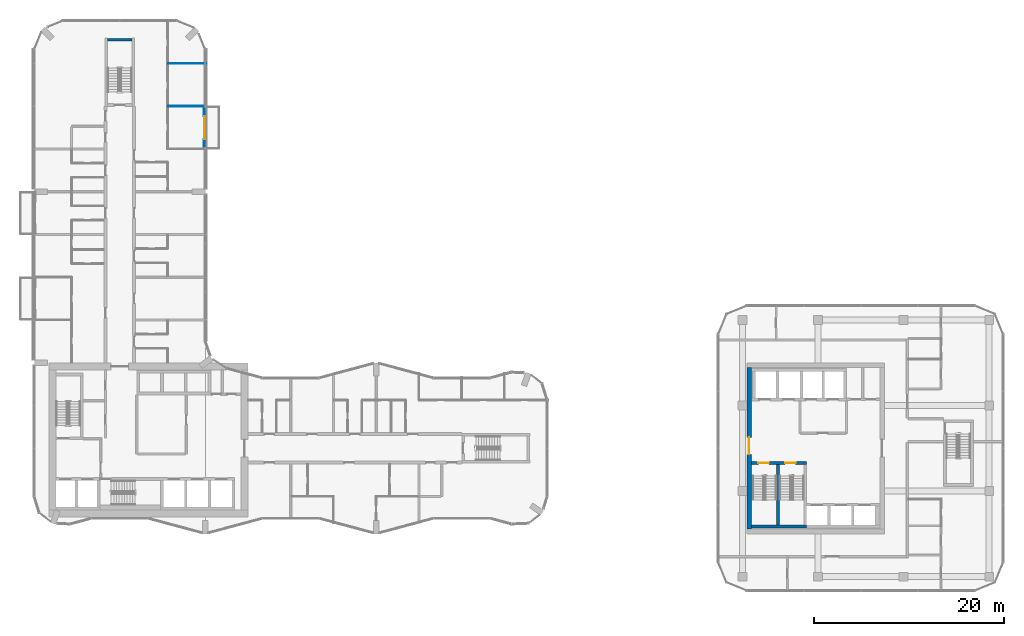
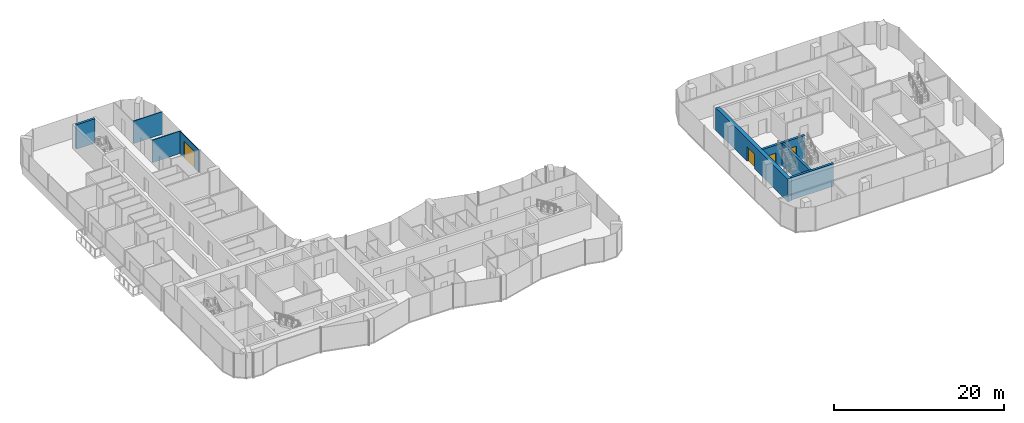
# One storey, part 18 of 24: 8 walls, 4 doors, 4 openings.
"""IFC4 building model written with IfcOpenShell, lengths in metres."""

from ifc_helpers import new_model, si_unit, direction, frame, frame_2d, origin, place, context, subcontext, project, spatial, rectangle, extrude, material, layer, layer_set, type_object, element, fill, save


model = new_model("IFC4")

# Units and contexts
model_context = context("Model", 3, precision=1e-05, world=origin(), true_north=direction((0.0, 1.0)))
body_context = subcontext(model_context, "Body", "Model", "MODEL_VIEW")
ifc_project = project(units=[si_unit("LENGTHUNIT", "METRE"), si_unit("AREAUNIT", "SQUARE_METRE"), si_unit("VOLUMEUNIT", "CUBIC_METRE"), si_unit("PLANEANGLEUNIT", "RADIAN"), si_unit("MASSUNIT", "GRAM", prefix="KILO")], contexts=[model_context])

# Site, building, storey
site_placement = place(None, origin())
site = spatial("IfcSite", under=ifc_project, at=site_placement, CompositionType="ELEMENT")
building_placement = place(site_placement, origin())
building = spatial("IfcBuilding", under=site, at=building_placement, Name="Plateau Cross Towers", CompositionType="ELEMENT")
storey_placement = place(building_placement, frame((0.0, 0.0, 51.300048828125)))
storey = spatial("IfcBuildingStorey", under=building, at=storey_placement, Name="L12", CompositionType="ELEMENT", Elevation=51.300048828125)

# Wall, opening, door
ifc_material_1 = material(Name="Aluminium framed glazing", Category="aluminium")
ifc_layer_1 = layer(ifc_material_1, 0.10009765625)
ifc_layer_set_1 = layer_set([ifc_layer_1], Name="Aluminium framed glazing")
wall_type_1 = type_object("IfcWallType", Name="Balcony screen wall 100", PredefinedType="STANDARD", material=ifc_layer_set_1)
wall_1_placement = place(storey_placement, frame((17.89990234375, 45.0, 0.0), z_axis=(0.0, 0.0, 1.0), x_axis=(0.0, -1.0, 0.0)))
wall_1 = element("IfcWall", 1, at=wall_1_placement, inside=storey, type_object=wall_type_1, Name="Balcony screen wall A-BAL-L12-03", PredefinedType="STANDARD", context=body_context, shape_type="SweptSolid", body=[
    extrude(rectangle(XDim=4.5, YDim=0.10009765625, at=frame_2d((2.25, 0.0))), origin(), (0.0, 0.0, 1.0), 3.25),
])
opening_1_placement = place(wall_1_placement, frame((1.050048828125, 0.0, 0.0)))
opening_1 = element("IfcOpeningElement", 2, at=opening_1_placement, cuts=wall_1, Name="Opening D-B24", PredefinedType="OPENING", context=body_context, shape_type="SweptSolid", body=[
    extrude(rectangle(XDim=2.39990234375, YDim=2.39990234375, at=frame_2d((1.199951171875, 1.199951171875))), frame((0.0, 0.06005859375, 0.0), z_axis=(0.0, -1.0, 0.0), x_axis=(1.0, 0.0, 0.0)), (0.0, 0.0, 1.0), 0.1201171875),
])
ifc_material_2 = material(Name="Aluminium frame, double glazing", Category="aluminium")
door_type_1 = type_object("IfcDoorType", Name="Balcony sliding door 2400", OperationType="NOTDEFINED", PredefinedType="DOOR", material=ifc_material_2)
door_1_placement = place(opening_1_placement, origin())
door_1 = element("IfcDoor", 3, at=door_1_placement, inside=storey, type_object=door_type_1, Name="Balcony door A-BAL-L12-03", OperationType="SINGLE_SWING_LEFT", OverallHeight=2.39990234375, OverallWidth=2.39990234375, PredefinedType="DOOR", context=body_context, shape_type="SweptSolid", body=[
    extrude(rectangle(XDim=2.39990234375, YDim=2.39990234375, at=frame_2d((1.199951171875, 1.199951171875))), frame((0.0, 0.02490234375, 0.0), z_axis=(0.0, -1.0, 0.0), x_axis=(1.0, 0.0, 0.0)), (0.0, 0.0, 1.0), 0.050048828125),
])
fill(opening_1, door_1)

# Wall
ifc_material_3 = material(Name="Concrete C60/75", Category="concrete")
ifc_layer_2 = layer(ifc_material_3, 0.300048828125)
ifc_layer_set_2 = layer_set([ifc_layer_2], Name="Concrete C60/75")
wall_type_2 = type_object("IfcWallType", Name="Core shaft wall 300", PredefinedType="SHEAR", material=ifc_layer_set_2)
wall_2_placement = place(storey_placement, frame((75.47998046875, 0.75, 0.0), z_axis=(0.0, 0.0, 1.0), x_axis=(1.0, 0.0, 0.0)))
element("IfcWall", 4, at=wall_2_placement, inside=storey, type_object=wall_type_2, Name="B-sb-stS@L12", PredefinedType="SHEAR", context=body_context, shape_type="SweptSolid", body=[
    extrude(rectangle(XDim=5.820068359375, YDim=0.300048828125, at=frame_2d((2.91015625, 0.0))), origin(), (0.0, 0.0, 1.0), 3.25),
])

# Wall, openings, doors
wall_3_placement = place(storey_placement, frame((75.47998046875, 7.449951171875, 0.0), z_axis=(0.0, 0.0, 1.0), x_axis=(1.0, 0.0, 0.0)))
wall_3 = element("IfcWall", 5, at=wall_3_placement, inside=storey, type_object=wall_type_2, Name="B-sb-stN@L12", PredefinedType="SHEAR", context=body_context, shape_type="SweptSolid", body=[
    extrude(rectangle(XDim=5.820068359375, YDim=0.300048828125, at=frame_2d((2.91015625, 0.0))), origin(), (0.0, 0.0, 1.0), 3.25),
])
opening_2_placement = place(wall_3_placement, frame((0.75, 0.0, 0.0)))
opening_2 = element("IfcOpeningElement", 6, at=opening_2_placement, cuts=wall_3, Name="Opening SD", PredefinedType="OPENING", context=body_context, shape_type="SweptSolid", body=[
    extrude(rectangle(XDim=1.10009765625, YDim=2.10009765625, at=frame_2d((0.550048828125, 1.050048828125))), frame((0.0, 0.159912109375, 0.0), z_axis=(0.0, -1.0, 0.0), x_axis=(1.0, 0.0, 0.0)), (0.0, 0.0, 1.0), 0.320068359375),
])
opening_3_placement = place(wall_3_placement, frame((3.550048828125, 0.0, 0.0)))
opening_3 = element("IfcOpeningElement", 7, at=opening_3_placement, cuts=wall_3, Name="Opening SD", PredefinedType="OPENING", context=body_context, shape_type="SweptSolid", body=[
    extrude(rectangle(XDim=1.10009765625, YDim=2.10009765625, at=frame_2d((0.550048828125, 1.050048828125))), frame((0.0, 0.159912109375, 0.0), z_axis=(0.0, -1.0, 0.0), x_axis=(1.0, 0.0, 0.0)), (0.0, 0.0, 1.0), 0.320068359375),
])
ifc_material_4 = material(Name="Steel, fire-resisting leaf", Category="steel")
door_type_2 = type_object("IfcDoorType", Name="Stair door 1100", OperationType="NOTDEFINED", PredefinedType="DOOR", material=ifc_material_4)
door_2_placement = place(opening_2_placement, origin())
door_2 = element("IfcDoor", 8, at=door_2_placement, inside=storey, type_object=door_type_2, Name="Stair door SD", OperationType="SINGLE_SWING_RIGHT", OverallHeight=2.10009765625, OverallWidth=1.10009765625, PredefinedType="DOOR", context=body_context, shape_type="SweptSolid", body=[
    extrude(rectangle(XDim=1.10009765625, YDim=2.10009765625, at=frame_2d((0.550048828125, 1.050048828125))), frame((0.0, 0.02490234375, 0.0), z_axis=(0.0, -1.0, 0.0), x_axis=(1.0, 0.0, 0.0)), (0.0, 0.0, 1.0), 0.050048828125),
])
fill(opening_2, door_2)
door_3_placement = place(opening_3_placement, origin())
door_3 = element("IfcDoor", 9, at=door_3_placement, inside=storey, type_object=door_type_2, Name="Stair door SD", OperationType="SINGLE_SWING_LEFT", OverallHeight=2.10009765625, OverallWidth=1.10009765625, PredefinedType="DOOR", context=body_context, shape_type="SweptSolid", body=[
    extrude(rectangle(XDim=1.10009765625, YDim=2.10009765625, at=frame_2d((0.550048828125, 1.050048828125))), frame((0.0, 0.02490234375, 0.0), z_axis=(0.0, -1.0, 0.0), x_axis=(1.0, 0.0, 0.0)), (0.0, 0.0, 1.0), 0.050048828125),
])
fill(opening_3, door_3)

# Wall
wall_4_placement = place(storey_placement, frame((78.300048828125, 0.89990234375, 0.0), z_axis=(0.0, 0.0, 1.0), x_axis=(0.0, 1.0, 0.0)))
element("IfcWall", 10, at=wall_4_placement, inside=storey, type_object=wall_type_2, Name="B-sb-st1@L12", PredefinedType="SHEAR", context=body_context, shape_type="SweptSolid", body=[
    extrude(rectangle(XDim=6.400146484375, YDim=0.300048828125, at=frame_2d((3.2001953125, 0.0))), origin(), (0.0, 0.0, 1.0), 3.25),
])

# Wall, opening, door
ifc_layer_3 = layer(ifc_material_3, 0.5)
ifc_layer_set_3 = layer_set([ifc_layer_3], Name="Concrete C60/75")
wall_type_3 = type_object("IfcWallType", Name="Core shell wall 500", PredefinedType="SHEAR", material=ifc_layer_set_3)
wall_5_placement = place(storey_placement, frame((75.25, 0.5, 0.0), z_axis=(0.0, 0.0, 1.0), x_axis=(0.0, 1.0, 0.0)))
wall_5 = element("IfcWall", 11, at=wall_5_placement, inside=storey, type_object=wall_type_3, Name="B-core-W@L12", PredefinedType="SHEAR", context=body_context, shape_type="SweptSolid", body=[
    extrude(rectangle(XDim=17.0, YDim=0.5, at=frame_2d((8.5, 0.0))), origin(), (0.0, 0.0, 1.0), 3.25),
])
opening_4_placement = place(wall_5_placement, frame((7.85009765625, 0.0, 0.0)))
opening_4 = element("IfcOpeningElement", 12, at=opening_4_placement, cuts=wall_5, Name="Opening CD", PredefinedType="OPENING", context=body_context, shape_type="SweptSolid", body=[
    extrude(rectangle(XDim=1.800048828125, YDim=2.10009765625, at=frame_2d((0.89990234375, 1.050048828125))), frame((0.0, 0.260009765625, 0.0), z_axis=(0.0, -1.0, 0.0), x_axis=(1.0, 0.0, 0.0)), (0.0, 0.0, 1.0), 0.52001953125),
])
ifc_material_5 = material(Name="Steel, fire-resisting leaves", Category="steel")
door_type_3 = type_object("IfcDoorType", Name="Corridor door pair 1800", OperationType="NOTDEFINED", PredefinedType="DOOR", material=ifc_material_5)
door_4_placement = place(opening_4_placement, origin())
door_4 = element("IfcDoor", 13, at=door_4_placement, inside=storey, type_object=door_type_3, Name="Corridor door pair CD", OperationType="DOUBLE_DOOR_SINGLE_SWING", OverallHeight=2.10009765625, OverallWidth=1.800048828125, PredefinedType="DOOR", context=body_context, shape_type="SweptSolid", body=[
    extrude(rectangle(XDim=1.800048828125, YDim=2.10009765625, at=frame_2d((0.89990234375, 1.050048828125))), frame((0.0, 0.02490234375, 0.0), z_axis=(0.0, -1.0, 0.0), x_axis=(1.0, 0.0, 0.0)), (0.0, 0.0, 1.0), 0.050048828125),
])
fill(opening_4, door_4)

# Walls
ifc_material_6 = material(Name="Gypsum board on steel studs", Category="steel")
ifc_layer_4 = layer(ifc_material_6, 0.10009765625)
ifc_layer_set_4 = layer_set([ifc_layer_4], Name="Gypsum board on steel studs")
wall_type_4 = type_object("IfcWallType", Name="Flat partition 100", PredefinedType="PARTITIONING", material=ifc_layer_set_4)
wall_6_placement = place(storey_placement, frame((17.85009765625, 45.0, 0.0), z_axis=(0.0, 0.0, 1.0), x_axis=(-1.0, 0.0, 0.0)))
element("IfcWall", 14, at=wall_6_placement, inside=storey, type_object=wall_type_4, Name="Partition wall", PredefinedType="PARTITIONING", context=body_context, shape_type="SweptSolid", body=[
    extrude(rectangle(XDim=3.72509765625, YDim=0.10009765625, at=frame_2d((1.862548828125, 0.0))), origin(), (0.0, 0.0, 1.0), 3.25),
])
wall_7_placement = place(storey_placement, frame((18.080078125, 49.5, 0.0), z_axis=(0.0, 0.0, 1.0), x_axis=(-1.0, 0.0, 0.0)))
element("IfcWall", 15, at=wall_7_placement, inside=storey, type_object=wall_type_4, Name="Partition wall", PredefinedType="PARTITIONING", context=body_context, shape_type="SweptSolid", body=[
    extrude(rectangle(XDim=3.955078125, YDim=0.10009765625, at=frame_2d((1.9775390625, 0.0))), origin(), (0.0, 0.0, 1.0), 3.25),
])
ifc_layer_5 = layer(ifc_material_3, 0.300048828125)
ifc_layer_set_5 = layer_set([ifc_layer_5], Name="Concrete C60/75")
wall_type_5 = type_object("IfcWallType", Name="Stair tower wall 300", PredefinedType="SHEAR", material=ifc_layer_set_5)
wall_8_placement = place(storey_placement, frame((7.72509765625, 52.0, 0.0), z_axis=(0.0, 0.0, 1.0), x_axis=(1.0, 0.0, 0.0)))
element("IfcWall", 16, at=wall_8_placement, inside=storey, type_object=wall_type_5, Name="A-end-N-N@L12", PredefinedType="SHEAR", context=body_context, shape_type="SweptSolid", body=[
    extrude(rectangle(XDim=2.5498046875, YDim=0.300048828125, at=frame_2d((1.27490234375, 0.0))), origin(), (0.0, 0.0, 1.0), 3.5),
])

save(model, "model.ifc")
